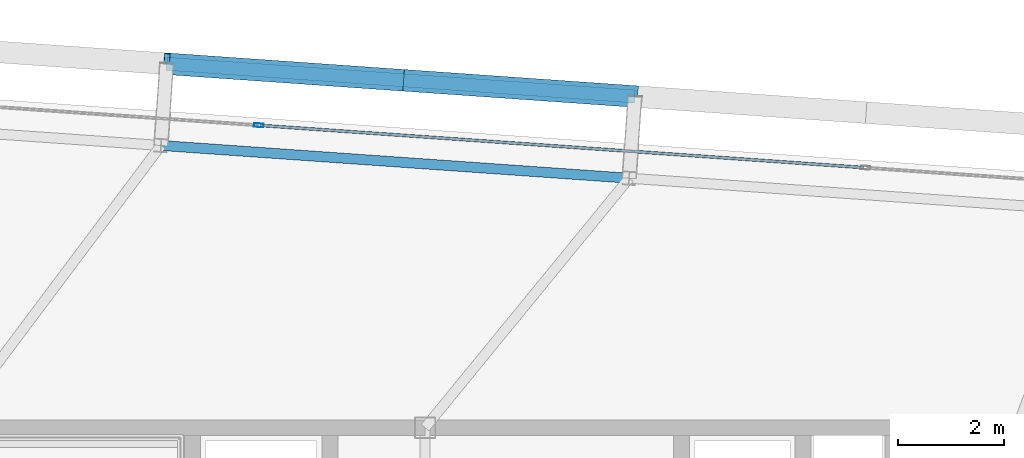
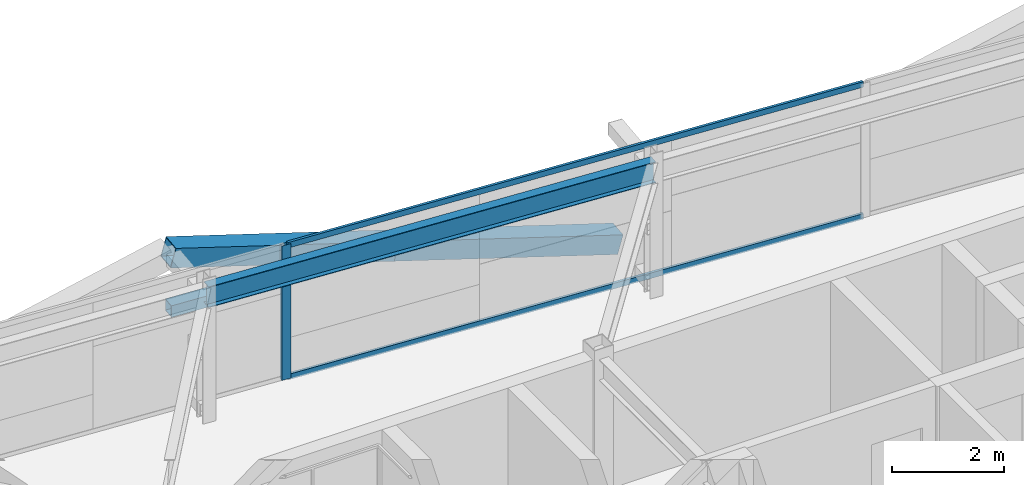
# One storey, part 21 of 39: 6 members, 1 beam, 1 element without a shape of its own.
"""IFC4 building model written with IfcOpenShell, lengths in metres."""

from ifc_helpers import new_model, si_unit, direction, frame, origin, origin_2d, place, context, subcontext, project, spatial, hollow_rectangle, i_section, extrude, source, transform, mapped, material, layer, layer_set, material_profile, profile_set, type_object, element, aggregate, save


model = new_model("IFC4")

# Units and contexts
model_context = context("Model", 3, precision=1e-05, world=origin(), true_north=direction((0.0, 1.0)))
body_context = subcontext(model_context, "Body", "Model", "MODEL_VIEW")
ifc_project = project(units=[si_unit("LENGTHUNIT", "METRE"), si_unit("AREAUNIT", "SQUARE_METRE"), si_unit("VOLUMEUNIT", "CUBIC_METRE"), si_unit("PLANEANGLEUNIT", "RADIAN"), si_unit("MASSUNIT", "GRAM", prefix="KILO")], contexts=[model_context])

# Site, building, storey
site_placement = place(None, origin())
site = spatial("IfcSite", under=ifc_project, at=site_placement, CompositionType="ELEMENT")
building_placement = place(site_placement, origin())
building = spatial("IfcBuilding", under=site, at=building_placement, Name="Taldren Reach Tower", CompositionType="ELEMENT")
storey_placement = place(building_placement, frame((0.0, 0.0, 126.699951171875)))
storey = spatial("IfcBuildingStorey", under=building, at=storey_placement, Name="L38", CompositionType="ELEMENT", Elevation=126.699951171875)

# Beam
ifc_material_1 = material(Name="Steel Gr 350 (350PLUS)", Category="steel")
ifc_material_profile_1 = material_profile(ifc_material_1, i_section(OverallWidth=0.18994140625, OverallDepth=0.4541015625, WebThickness=0.008544921875, FlangeThickness=0.0126953125, at=origin_2d()), Name="460UB67.1")
ifc_profile_set_1 = profile_set([ifc_material_profile_1], Name="Steel Gr 350 (350PLUS)")
beam_type = type_object("IfcBeamType", Name="SP-UB460B", PredefinedType="SPANDREL", material=ifc_profile_set_1)
shared_shape_1 = source(origin(), body_context, "Body", "SweptSolid", [
    extrude(i_section(OverallWidth=0.18994140625, OverallDepth=0.4541015625, WebThickness=0.008544921875, FlangeThickness=0.0126953125, at=origin_2d()), origin(), (0.0, 0.0, 1.0), 8.880126953125),
])
beam_placement = place(storey_placement, frame((31.861328125, 36.719970703125, 2.703125), z_axis=(-0.997564479639, 0.069750333063, 0.0), x_axis=(-0.069750333063, -0.997564479639, 0.0)))
element("IfcBeam", 1, at=beam_placement, inside=storey, type_object=beam_type, Name="Perimeter spandrel B3 N3-N2 L38", PredefinedType="SPANDREL", context=body_context, shape_type="MappedRepresentation", body=[
    mapped(shared_shape_1, transform((0.0, 0.0, 0.0), scale=1.0)),
])

# Members
ifc_material_2 = material(Name="Steel Gr 350 (C350L0)", Category="steel")
ifc_material_profile_2 = material_profile(ifc_material_2, hollow_rectangle(XDim=0.25, YDim=0.25, WallThickness=0.010009765625, at=origin_2d()), Name="250x250x10.0SHS")
ifc_profile_set_2 = profile_set([ifc_material_profile_2], Name="Steel Gr 350 (C350L0)")
member_type_1 = type_object("IfcMemberType", Name="MB-POST250", PredefinedType="POST", material=ifc_profile_set_2)
shared_shape_2 = source(origin(), body_context, "Body", "SweptSolid", [
    extrude(hollow_rectangle(XDim=0.25, YDim=0.25, WallThickness=0.010009765625, at=origin_2d()), origin(), (0.0, 0.0, 1.0), 8.880126953125),
])
member_1_placement = place(storey_placement, frame((23.111083984375, 38.885498046875, 1.43505859375), z_axis=(0.997564479639, -0.069750333063, 0.0), x_axis=(0.069750333063, 0.997564479639, 0.0)))
element("IfcMember", 2, at=member_1_placement, inside=storey, type_object=member_type_1, Name="Exoskeleton mid-height ring chord B3-N2 L38", PredefinedType="POST", context=body_context, shape_type="MappedRepresentation", body=[
    mapped(shared_shape_2, transform((0.0, 0.0, 0.0), scale=1.0)),
])
ifc_material_3 = material(Name="Steel Gr 450 (C450L0)", Category="steel")
ifc_material_profile_3 = material_profile(ifc_material_3, hollow_rectangle(XDim=0.409912109375, YDim=0.409912109375, WallThickness=0.01611328125, at=origin_2d()), Name="410x410x16.0SHS")
ifc_profile_set_3 = profile_set([ifc_material_profile_3], Name="Steel Gr 450 (C450L0)")
member_type_2 = type_object("IfcMemberType", Name="MB-EXO406", PredefinedType="BRACE", material=ifc_profile_set_3)
shared_shape_3 = source(origin(), body_context, "Body", "SweptSolid", [
    extrude(hollow_rectangle(XDim=0.409912109375, YDim=0.409912109375, WallThickness=0.01611328125, at=origin_2d()), origin(), (0.0, 0.0, 1.0), 4.603271484375),
])
for number, where, z_axis, x_axis, name in (
    (3, (31.969482421875, 38.26611328125, 0.219970703125), (-0.962182351074, 0.067302910567, 0.263961060594), (-0.06977769246, -0.997562566276, 0.0), "Exoskeleton Diagrid Brace B3-N2 L38"),
    (4, (27.540283203125, 38.575927734375, 1.43505859375), (-0.962185784239, 0.067250114343, 0.263962002434), (-0.069722973508, -0.997566392259, 0.0), "Exoskeleton Diagrid Brace B3-N2 L38"),
):
    element("IfcMember", number, at=place(storey_placement, frame(where, z_axis=z_axis, x_axis=x_axis)), inside=storey, type_object=member_type_2, Name=name, PredefinedType="BRACE", context=body_context, shape_type="MappedRepresentation", body=[
        mapped(shared_shape_3, transform((0.0, 0.0, 0.0), scale=1.0)),
    ])

# Curtain wall, members
ifc_material_4 = material(Name="Aluminium and Low-E Glass Unitised System", Category="aluminium")
ifc_layer = layer(ifc_material_4, 0.159912109375)
ifc_layer_set = layer_set([ifc_layer], Name="Aluminium and Low-E Glass Unitised System")
curtain_wall_type = type_object("IfcCurtainWallType", Name="CW-SYS-4", PredefinedType="NOTDEFINED", material=ifc_layer_set)
curtain_wall_placement = place(storey_placement, origin())
curtain_wall = element("IfcCurtainWall", 5, at=curtain_wall_placement, inside=storey, type_object=curtain_wall_type, Name="Unitised curtain wall CW-L38-N", PredefinedType="NOTDEFINED")
ifc_material_5 = material(Name="Anodised Aluminium 6063-T6", Category="aluminium")
ifc_material_profile_4 = material_profile(ifc_material_5, hollow_rectangle(XDim=0.054931640625, YDim=0.1201171875, WallThickness=0.0029296875, at=origin_2d()), Name="ALU-120x55x3RHS")
ifc_profile_set_4 = profile_set([ifc_material_profile_4], Name="Anodised Aluminium 6063-T6")
member_type_3 = type_object("IfcMemberType", Name="CW-TRN-135", PredefinedType="USERDEFINED", material=ifc_profile_set_4)
shared_shape_4 = source(origin(), body_context, "Body", "SweptSolid", [
    extrude(hollow_rectangle(XDim=0.054931640625, YDim=0.1201171875, WallThickness=0.0029296875, at=origin_2d()), origin(), (0.0, 0.0, 1.0), 11.43017578125),
])
member_2_placement = place(storey_placement, frame((36.291259765625, 36.92138671875, 0.027587890625), z_axis=(-0.997563844883, 0.069759410701, 0.0), x_axis=(-0.069759410701, -0.997563844883, 0.0)))
member_2 = element("IfcMember", 6, at=member_2_placement, type_object=member_type_3, Name="CW-4 transom 3.1", ObjectType="TRANSOM", PredefinedType="USERDEFINED", context=body_context, shape_type="MappedRepresentation", body=[
    mapped(shared_shape_4, transform((0.0, 0.0, 0.0), scale=1.0)),
])
member_3_placement = place(storey_placement, frame((36.291259765625, 36.92138671875, 2.902587890625), z_axis=(-0.997563844883, 0.069759410701, 0.0), x_axis=(-0.069759410701, -0.997563844883, 0.0)))
member_3 = element("IfcMember", 7, at=member_3_placement, type_object=member_type_3, Name="CW-4 transom 3.2", ObjectType="TRANSOM", PredefinedType="USERDEFINED", context=body_context, shape_type="MappedRepresentation", body=[
    mapped(shared_shape_4, transform((0.0, 0.0, 0.0), scale=1.0)),
])
ifc_material_profile_5 = material_profile(ifc_material_5, hollow_rectangle(XDim=0.070068359375, YDim=0.179931640625, WallThickness=0.00390625, at=origin_2d()), Name="ALU-180x70x4RHS")
ifc_profile_set_5 = profile_set([ifc_material_profile_5], Name="Anodised Aluminium 6063-T6")
member_type_4 = type_object("IfcMemberType", Name="CW-MUL-180", PredefinedType="MULLION", material=ifc_profile_set_5)
shared_shape_5 = source(origin(), body_context, "Body", "SweptSolid", [
    extrude(hollow_rectangle(XDim=0.070068359375, YDim=0.179931640625, WallThickness=0.00390625, at=origin_2d()), origin(), (0.0, 0.0, 1.0), 2.929931640625),
])
member_4_placement = place(storey_placement, frame((24.85400390625, 37.72119140625, 0.0), z_axis=(0.0, 0.0, 1.0), x_axis=(-0.06975651593, -0.99756404731, 0.0)))
member_4 = element("IfcMember", 8, at=member_4_placement, type_object=member_type_4, Name="CW-4 mullion 4", PredefinedType="MULLION", context=body_context, shape_type="MappedRepresentation", body=[
    mapped(shared_shape_5, transform((0.0, 0.0, 0.0), scale=1.0)),
])
aggregate(curtain_wall, [member_4, member_2, member_3])

save(model, "model.ifc")
